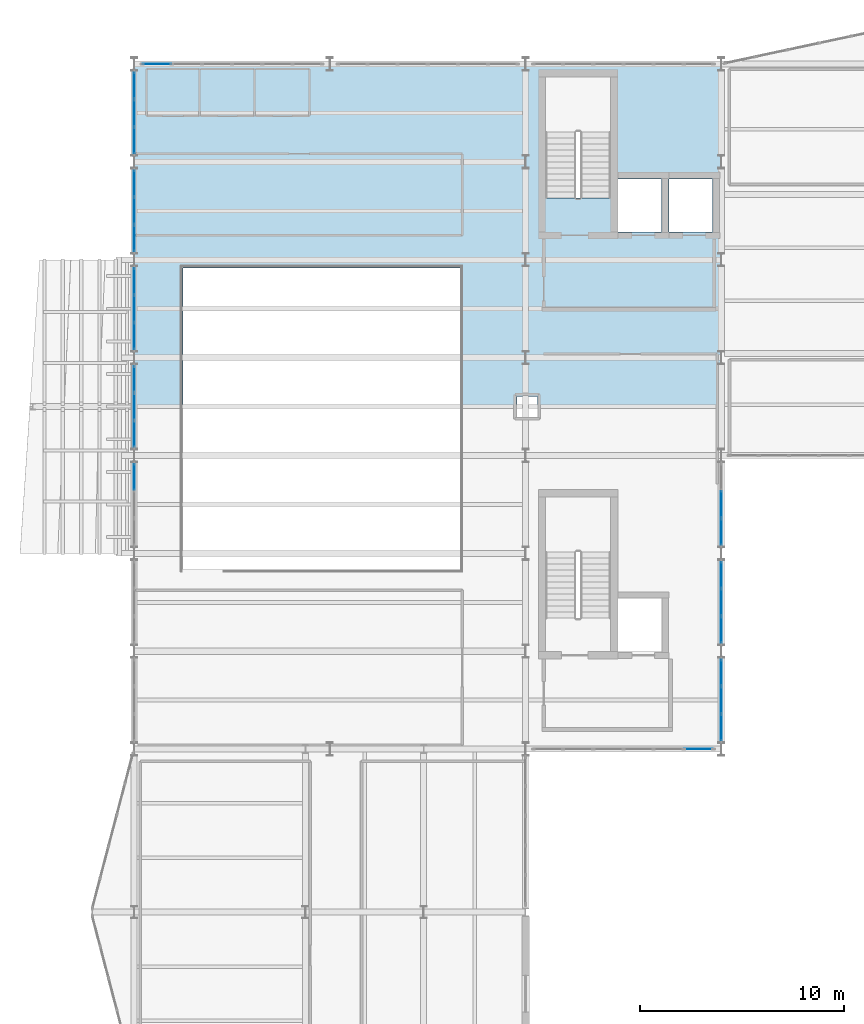
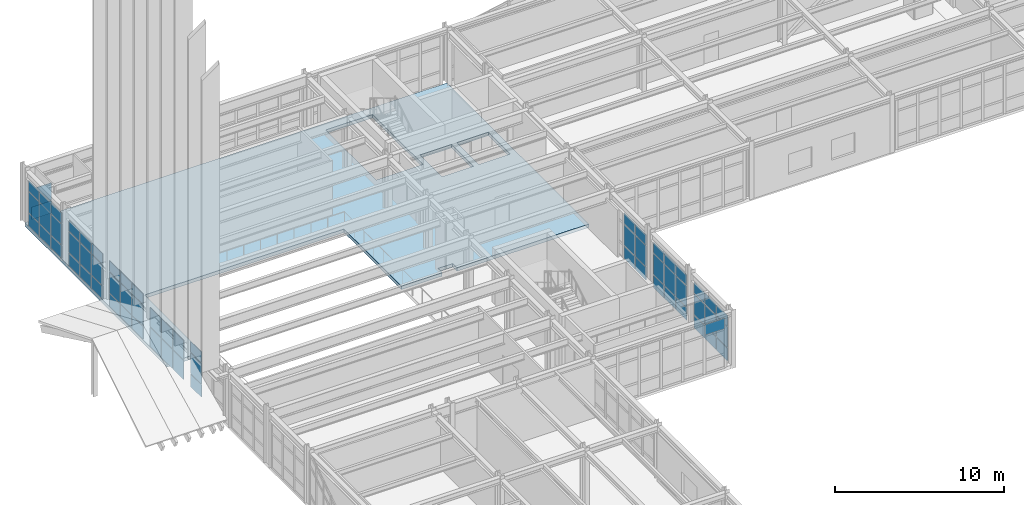
# One storey, part 66 of 99: 63 plates, 1 slab, 10 elements without a shape of their own.
"""IFC4 building model written with IfcOpenShell, lengths in metres."""

from ifc_helpers import new_model, si_unit, direction, frame, origin, origin_2d, place, context, subcontext, project, spatial, polyline, rectangle, outline, extrude, material, layer, layer_set, type_object, element, aggregate, save


model = new_model("IFC4")

# Units and contexts
model_context = context("Model", 3, precision=1e-05, world=origin(), true_north=direction((0.0, 1.0)))
body_context = subcontext(model_context, "Body", "Model", "MODEL_VIEW")
ifc_project = project(units=[si_unit("LENGTHUNIT", "METRE"), si_unit("AREAUNIT", "SQUARE_METRE"), si_unit("VOLUMEUNIT", "CUBIC_METRE"), si_unit("PLANEANGLEUNIT", "RADIAN"), si_unit("MASSUNIT", "GRAM", prefix="KILO")], contexts=[model_context])

# Site, building, storey
site_placement = place(None, origin())
site = spatial("IfcSite", under=ifc_project, at=site_placement, CompositionType="ELEMENT")
building_placement = place(site_placement, origin())
building = spatial("IfcBuilding", under=site, at=building_placement, Name="Nordkorset Police Headquarters", CompositionType="ELEMENT")
storey_placement = place(building_placement, frame((0.0, 0.0, 5.25)))
storey = spatial("IfcBuildingStorey", under=building, at=storey_placement, Name="L01", CompositionType="ELEMENT", Elevation=5.25)

# Curtain wall, plates
ifc_material_1 = material(Name="Aluminium alloy AW-6060", Category="aluminium")
ifc_layer_1 = layer(ifc_material_1, 0.179931640625, Name="Aluminium alloy AW-6060")
ifc_layer_set_1 = layer_set([ifc_layer_1], Name="Aluminium alloy AW-6060")
curtain_wall_type_1 = type_object("IfcCurtainWallType", Name="CW_Unit_408x340", PredefinedType="USERDEFINED", material=ifc_layer_set_1)
curtain_wall_1_placement = place(storey_placement, origin())
curtain_wall_1 = element("IfcCurtainWall", 1, at=curtain_wall_1_placement, inside=storey, type_object=curtain_wall_type_1, Name="Unitised Curtain Wall L01 V1W-2", ObjectType="UNITISED CURTAIN WALL", PredefinedType="USERDEFINED")
ifc_material_2 = material(Name="Low-iron triple glazing", Category="glass")
ifc_layer_2 = layer(ifc_material_2, 0.035888671875, Name="Low-iron triple glazing")
ifc_layer_set_2 = layer_set([ifc_layer_2], Name="Low-iron triple glazing")
plate_type = type_object("IfcPlateType", Name="CW_Panel_TripleGlazing_36", PredefinedType="CURTAIN_PANEL", material=ifc_layer_set_2)
plate_1_placement = place(storey_placement, frame((0.0, 96.543701171875, 0.06494140625), z_axis=(0.0, 0.0, 1.0), x_axis=(0.0, 1.0, 0.0)))
plate_1 = element("IfcPlate", 2, at=plate_1_placement, type_object=plate_type, Name="CW-75 panel 3.1", PredefinedType="CURTAIN_PANEL", context=body_context, shape_type="SweptSolid", body=[
    extrude(rectangle(XDim=1.262451171875, YDim=0.035888671875, at=origin_2d()), origin(), (0.0, 0.0, 1.0), 0.902587890625),
])
plate_2_placement = place(storey_placement, frame((0.0, 96.543701171875, 1.0322265625), z_axis=(0.0, 0.0, 1.0), x_axis=(0.0, 1.0, 0.0)))
plate_2 = element("IfcPlate", 3, at=plate_2_placement, type_object=plate_type, Name="CW-75 panel 3.2", PredefinedType="CURTAIN_PANEL", context=body_context, shape_type="SweptSolid", body=[
    extrude(rectangle(XDim=1.262451171875, YDim=0.035888671875, at=origin_2d()), origin(), (0.0, 0.0, 1.0), 1.485107421875),
])
plate_3_placement = place(storey_placement, frame((0.0, 96.543701171875, 2.58251953125), z_axis=(0.0, 0.0, 1.0), x_axis=(0.0, 1.0, 0.0)))
plate_3 = element("IfcPlate", 4, at=plate_3_placement, type_object=plate_type, Name="CW-75 panel 3.3", PredefinedType="CURTAIN_PANEL", context=body_context, shape_type="SweptSolid", body=[
    extrude(rectangle(XDim=1.262451171875, YDim=0.035888671875, at=origin_2d()), origin(), (0.0, 0.0, 1.0), 0.75244140625),
])
aggregate(curtain_wall_1, [plate_1, plate_2, plate_3])

ifc_material_3 = material(Name="Aluminium alloy AW-6060", Category="aluminium")
ifc_layer_3 = layer(ifc_material_3, 0.179931640625, Name="Aluminium alloy AW-6060")
ifc_layer_set_3 = layer_set([ifc_layer_3], Name="Aluminium alloy AW-6060")
curtain_wall_type_2 = type_object("IfcCurtainWallType", Name="CW_Unit_408x294", PredefinedType="USERDEFINED", material=ifc_layer_set_3)
curtain_wall_2_placement = place(storey_placement, origin())
curtain_wall_2 = element("IfcCurtainWall", 5, at=curtain_wall_2_placement, inside=storey, type_object=curtain_wall_type_2, Name="Unitised Curtain Wall L01 V1W-3", ObjectType="UNITISED CURTAIN WALL", PredefinedType="USERDEFINED")
plate_4_placement = place(storey_placement, frame((0.0, 98.65625, 0.06494140625), z_axis=(0.0, 0.0, 1.0), x_axis=(0.0, 1.0, 0.0)))
plate_4 = element("IfcPlate", 6, at=plate_4_placement, type_object=plate_type, Name="CW-33 panel 1.1", PredefinedType="CURTAIN_PANEL", context=body_context, shape_type="SweptSolid", body=[
    extrude(rectangle(XDim=1.262451171875, YDim=0.035888671875, at=origin_2d()), origin(), (0.0, 0.0, 1.0), 1.375),
])
plate_5_placement = place(storey_placement, frame((0.0, 98.65625, 1.5048828125), z_axis=(0.0, 0.0, 1.0), x_axis=(0.0, 1.0, 0.0)))
plate_5 = element("IfcPlate", 7, at=plate_5_placement, type_object=plate_type, Name="CW-33 panel 1.2", PredefinedType="CURTAIN_PANEL", context=body_context, shape_type="SweptSolid", body=[
    extrude(rectangle(XDim=1.262451171875, YDim=0.035888671875, at=origin_2d()), origin(), (0.0, 0.0, 1.0), 1.375),
])
plate_6_placement = place(storey_placement, frame((0.0, 100.0, 0.06494140625), z_axis=(0.0, 0.0, 1.0), x_axis=(0.0, 1.0, 0.0)))
plate_6 = element("IfcPlate", 8, at=plate_6_placement, type_object=plate_type, Name="CW-33 panel 2.1", PredefinedType="CURTAIN_PANEL", context=body_context, shape_type="SweptSolid", body=[
    extrude(rectangle(XDim=1.294921875, YDim=0.035888671875, at=origin_2d()), origin(), (0.0, 0.0, 1.0), 1.375),
])
plate_7_placement = place(storey_placement, frame((0.0, 100.0, 1.5048828125), z_axis=(0.0, 0.0, 1.0), x_axis=(0.0, 1.0, 0.0)))
plate_7 = element("IfcPlate", 9, at=plate_7_placement, type_object=plate_type, Name="CW-33 panel 2.2", PredefinedType="CURTAIN_PANEL", context=body_context, shape_type="SweptSolid", body=[
    extrude(rectangle(XDim=1.294921875, YDim=0.035888671875, at=origin_2d()), origin(), (0.0, 0.0, 1.0), 1.375),
])
plate_8_placement = place(storey_placement, frame((0.0, 101.34375, 0.06494140625), z_axis=(0.0, 0.0, 1.0), x_axis=(0.0, 1.0, 0.0)))
plate_8 = element("IfcPlate", 10, at=plate_8_placement, type_object=plate_type, Name="CW-33 panel 3.1", PredefinedType="CURTAIN_PANEL", context=body_context, shape_type="SweptSolid", body=[
    extrude(rectangle(XDim=1.262451171875, YDim=0.035888671875, at=origin_2d()), origin(), (0.0, 0.0, 1.0), 1.375),
])
plate_9_placement = place(storey_placement, frame((0.0, 101.34375, 1.5048828125), z_axis=(0.0, 0.0, 1.0), x_axis=(0.0, 1.0, 0.0)))
plate_9 = element("IfcPlate", 11, at=plate_9_placement, type_object=plate_type, Name="CW-33 panel 3.2", PredefinedType="CURTAIN_PANEL", context=body_context, shape_type="SweptSolid", body=[
    extrude(rectangle(XDim=1.262451171875, YDim=0.035888671875, at=origin_2d()), origin(), (0.0, 0.0, 1.0), 1.375),
])
aggregate(curtain_wall_2, [plate_4, plate_5, plate_6, plate_7, plate_8, plate_9])

curtain_wall_3_placement = place(storey_placement, origin())
curtain_wall_3 = element("IfcCurtainWall", 12, at=curtain_wall_3_placement, inside=storey, type_object=curtain_wall_type_1, Name="Unitised Curtain Wall L01 V1W-4", ObjectType="UNITISED CURTAIN WALL", PredefinedType="USERDEFINED")
plate_10_placement = place(storey_placement, frame((0.0, 103.456298828125, 0.06494140625), z_axis=(0.0, 0.0, 1.0), x_axis=(0.0, 1.0, 0.0)))
plate_10 = element("IfcPlate", 13, at=plate_10_placement, type_object=plate_type, Name="CW-75 panel 1.1", PredefinedType="CURTAIN_PANEL", context=body_context, shape_type="SweptSolid", body=[
    extrude(rectangle(XDim=1.262451171875, YDim=0.035888671875, at=origin_2d()), origin(), (0.0, 0.0, 1.0), 0.902587890625),
])
plate_11_placement = place(storey_placement, frame((0.0, 103.456298828125, 1.0322265625), z_axis=(0.0, 0.0, 1.0), x_axis=(0.0, 1.0, 0.0)))
plate_11 = element("IfcPlate", 14, at=plate_11_placement, type_object=plate_type, Name="CW-75 panel 1.2", PredefinedType="CURTAIN_PANEL", context=body_context, shape_type="SweptSolid", body=[
    extrude(rectangle(XDim=1.262451171875, YDim=0.035888671875, at=origin_2d()), origin(), (0.0, 0.0, 1.0), 1.485107421875),
])
plate_12_placement = place(storey_placement, frame((0.0, 103.456298828125, 2.58251953125), z_axis=(0.0, 0.0, 1.0), x_axis=(0.0, 1.0, 0.0)))
plate_12 = element("IfcPlate", 15, at=plate_12_placement, type_object=plate_type, Name="CW-75 panel 1.3", PredefinedType="CURTAIN_PANEL", context=body_context, shape_type="SweptSolid", body=[
    extrude(rectangle(XDim=1.262451171875, YDim=0.035888671875, at=origin_2d()), origin(), (0.0, 0.0, 1.0), 0.75244140625),
])
plate_13_placement = place(storey_placement, frame((0.0, 104.800048828125, 0.06494140625), z_axis=(0.0, 0.0, 1.0), x_axis=(0.0, 1.0, 0.0)))
plate_13 = element("IfcPlate", 16, at=plate_13_placement, type_object=plate_type, Name="CW-75 panel 2.1", PredefinedType="CURTAIN_PANEL", context=body_context, shape_type="SweptSolid", body=[
    extrude(rectangle(XDim=1.294921875, YDim=0.035888671875, at=origin_2d()), origin(), (0.0, 0.0, 1.0), 0.902587890625),
])
plate_14_placement = place(storey_placement, frame((0.0, 104.800048828125, 1.0322265625), z_axis=(0.0, 0.0, 1.0), x_axis=(0.0, 1.0, 0.0)))
plate_14 = element("IfcPlate", 17, at=plate_14_placement, type_object=plate_type, Name="CW-75 panel 2.2", PredefinedType="CURTAIN_PANEL", context=body_context, shape_type="SweptSolid", body=[
    extrude(rectangle(XDim=1.294921875, YDim=0.035888671875, at=origin_2d()), origin(), (0.0, 0.0, 1.0), 1.485107421875),
])
plate_15_placement = place(storey_placement, frame((0.0, 104.800048828125, 2.58251953125), z_axis=(0.0, 0.0, 1.0), x_axis=(0.0, 1.0, 0.0)))
plate_15 = element("IfcPlate", 18, at=plate_15_placement, type_object=plate_type, Name="CW-75 panel 2.3", PredefinedType="CURTAIN_PANEL", context=body_context, shape_type="SweptSolid", body=[
    extrude(rectangle(XDim=1.294921875, YDim=0.035888671875, at=origin_2d()), origin(), (0.0, 0.0, 1.0), 0.75244140625),
])
plate_16_placement = place(storey_placement, frame((0.0, 106.143798828125, 0.06494140625), z_axis=(0.0, 0.0, 1.0), x_axis=(0.0, 1.0, 0.0)))
plate_16 = element("IfcPlate", 19, at=plate_16_placement, type_object=plate_type, Name="CW-75 panel 3.1", PredefinedType="CURTAIN_PANEL", context=body_context, shape_type="SweptSolid", body=[
    extrude(rectangle(XDim=1.262451171875, YDim=0.035888671875, at=origin_2d()), origin(), (0.0, 0.0, 1.0), 0.902587890625),
])
plate_17_placement = place(storey_placement, frame((0.0, 106.143798828125, 1.0322265625), z_axis=(0.0, 0.0, 1.0), x_axis=(0.0, 1.0, 0.0)))
plate_17 = element("IfcPlate", 20, at=plate_17_placement, type_object=plate_type, Name="CW-75 panel 3.2", PredefinedType="CURTAIN_PANEL", context=body_context, shape_type="SweptSolid", body=[
    extrude(rectangle(XDim=1.262451171875, YDim=0.035888671875, at=origin_2d()), origin(), (0.0, 0.0, 1.0), 1.485107421875),
])
plate_18_placement = place(storey_placement, frame((0.0, 106.143798828125, 2.58251953125), z_axis=(0.0, 0.0, 1.0), x_axis=(0.0, 1.0, 0.0)))
plate_18 = element("IfcPlate", 21, at=plate_18_placement, type_object=plate_type, Name="CW-75 panel 3.3", PredefinedType="CURTAIN_PANEL", context=body_context, shape_type="SweptSolid", body=[
    extrude(rectangle(XDim=1.262451171875, YDim=0.035888671875, at=origin_2d()), origin(), (0.0, 0.0, 1.0), 0.75244140625),
])
aggregate(curtain_wall_3, [plate_10, plate_11, plate_12, plate_13, plate_14, plate_15, plate_16, plate_17, plate_18])

curtain_wall_4_placement = place(storey_placement, origin())
curtain_wall_4 = element("IfcCurtainWall", 22, at=curtain_wall_4_placement, inside=storey, type_object=curtain_wall_type_1, Name="Unitised Curtain Wall L01 V1W-5", ObjectType="UNITISED CURTAIN WALL", PredefinedType="USERDEFINED")
plate_19_placement = place(storey_placement, frame((0.0, 108.25634765625, 0.06494140625), z_axis=(0.0, 0.0, 1.0), x_axis=(0.0, 1.0, 0.0)))
plate_19 = element("IfcPlate", 23, at=plate_19_placement, type_object=plate_type, Name="CW-75 panel 1.1", PredefinedType="CURTAIN_PANEL", context=body_context, shape_type="SweptSolid", body=[
    extrude(rectangle(XDim=1.262451171875, YDim=0.035888671875, at=origin_2d()), origin(), (0.0, 0.0, 1.0), 0.902587890625),
])
plate_20_placement = place(storey_placement, frame((0.0, 108.25634765625, 1.0322265625), z_axis=(0.0, 0.0, 1.0), x_axis=(0.0, 1.0, 0.0)))
plate_20 = element("IfcPlate", 24, at=plate_20_placement, type_object=plate_type, Name="CW-75 panel 1.2", PredefinedType="CURTAIN_PANEL", context=body_context, shape_type="SweptSolid", body=[
    extrude(rectangle(XDim=1.262451171875, YDim=0.035888671875, at=origin_2d()), origin(), (0.0, 0.0, 1.0), 1.485107421875),
])
plate_21_placement = place(storey_placement, frame((0.0, 108.25634765625, 2.58251953125), z_axis=(0.0, 0.0, 1.0), x_axis=(0.0, 1.0, 0.0)))
plate_21 = element("IfcPlate", 25, at=plate_21_placement, type_object=plate_type, Name="CW-75 panel 1.3", PredefinedType="CURTAIN_PANEL", context=body_context, shape_type="SweptSolid", body=[
    extrude(rectangle(XDim=1.262451171875, YDim=0.035888671875, at=origin_2d()), origin(), (0.0, 0.0, 1.0), 0.75244140625),
])
plate_22_placement = place(storey_placement, frame((0.0, 109.60009765625, 0.06494140625), z_axis=(0.0, 0.0, 1.0), x_axis=(0.0, 1.0, 0.0)))
plate_22 = element("IfcPlate", 26, at=plate_22_placement, type_object=plate_type, Name="CW-75 panel 2.1", PredefinedType="CURTAIN_PANEL", context=body_context, shape_type="SweptSolid", body=[
    extrude(rectangle(XDim=1.294921875, YDim=0.035888671875, at=origin_2d()), origin(), (0.0, 0.0, 1.0), 0.902587890625),
])
plate_23_placement = place(storey_placement, frame((0.0, 109.60009765625, 1.0322265625), z_axis=(0.0, 0.0, 1.0), x_axis=(0.0, 1.0, 0.0)))
plate_23 = element("IfcPlate", 27, at=plate_23_placement, type_object=plate_type, Name="CW-75 panel 2.2", PredefinedType="CURTAIN_PANEL", context=body_context, shape_type="SweptSolid", body=[
    extrude(rectangle(XDim=1.294921875, YDim=0.035888671875, at=origin_2d()), origin(), (0.0, 0.0, 1.0), 1.485107421875),
])
plate_24_placement = place(storey_placement, frame((0.0, 109.60009765625, 2.58251953125), z_axis=(0.0, 0.0, 1.0), x_axis=(0.0, 1.0, 0.0)))
plate_24 = element("IfcPlate", 28, at=plate_24_placement, type_object=plate_type, Name="CW-75 panel 2.3", PredefinedType="CURTAIN_PANEL", context=body_context, shape_type="SweptSolid", body=[
    extrude(rectangle(XDim=1.294921875, YDim=0.035888671875, at=origin_2d()), origin(), (0.0, 0.0, 1.0), 0.75244140625),
])
plate_25_placement = place(storey_placement, frame((0.0, 110.94384765625, 0.06494140625), z_axis=(0.0, 0.0, 1.0), x_axis=(0.0, 1.0, 0.0)))
plate_25 = element("IfcPlate", 29, at=plate_25_placement, type_object=plate_type, Name="CW-75 panel 3.1", PredefinedType="CURTAIN_PANEL", context=body_context, shape_type="SweptSolid", body=[
    extrude(rectangle(XDim=1.262451171875, YDim=0.035888671875, at=origin_2d()), origin(), (0.0, 0.0, 1.0), 0.902587890625),
])
plate_26_placement = place(storey_placement, frame((0.0, 110.94384765625, 1.0322265625), z_axis=(0.0, 0.0, 1.0), x_axis=(0.0, 1.0, 0.0)))
plate_26 = element("IfcPlate", 30, at=plate_26_placement, type_object=plate_type, Name="CW-75 panel 3.2", PredefinedType="CURTAIN_PANEL", context=body_context, shape_type="SweptSolid", body=[
    extrude(rectangle(XDim=1.262451171875, YDim=0.035888671875, at=origin_2d()), origin(), (0.0, 0.0, 1.0), 1.485107421875),
])
plate_27_placement = place(storey_placement, frame((0.0, 110.94384765625, 2.58251953125), z_axis=(0.0, 0.0, 1.0), x_axis=(0.0, 1.0, 0.0)))
plate_27 = element("IfcPlate", 31, at=plate_27_placement, type_object=plate_type, Name="CW-75 panel 3.3", PredefinedType="CURTAIN_PANEL", context=body_context, shape_type="SweptSolid", body=[
    extrude(rectangle(XDim=1.262451171875, YDim=0.035888671875, at=origin_2d()), origin(), (0.0, 0.0, 1.0), 0.75244140625),
])
aggregate(curtain_wall_4, [plate_19, plate_20, plate_21, plate_22, plate_23, plate_24, plate_25, plate_26, plate_27])

curtain_wall_5_placement = place(storey_placement, origin())
curtain_wall_5 = element("IfcCurtainWall", 32, at=curtain_wall_5_placement, inside=storey, type_object=curtain_wall_type_1, Name="Unitised Curtain Wall L01 V1W-6", ObjectType="UNITISED CURTAIN WALL", PredefinedType="USERDEFINED")
plate_28_placement = place(storey_placement, frame((0.0, 113.05615234375, 0.06494140625), z_axis=(0.0, 0.0, 1.0), x_axis=(0.0, 1.0, 0.0)))
plate_28 = element("IfcPlate", 33, at=plate_28_placement, type_object=plate_type, Name="CW-75 panel 1.1", PredefinedType="CURTAIN_PANEL", context=body_context, shape_type="SweptSolid", body=[
    extrude(rectangle(XDim=1.262451171875, YDim=0.035888671875, at=origin_2d()), origin(), (0.0, 0.0, 1.0), 0.902587890625),
])
plate_29_placement = place(storey_placement, frame((0.0, 113.05615234375, 1.0322265625), z_axis=(0.0, 0.0, 1.0), x_axis=(0.0, 1.0, 0.0)))
plate_29 = element("IfcPlate", 34, at=plate_29_placement, type_object=plate_type, Name="CW-75 panel 1.2", PredefinedType="CURTAIN_PANEL", context=body_context, shape_type="SweptSolid", body=[
    extrude(rectangle(XDim=1.262451171875, YDim=0.035888671875, at=origin_2d()), origin(), (0.0, 0.0, 1.0), 1.485107421875),
])
plate_30_placement = place(storey_placement, frame((0.0, 113.05615234375, 2.58251953125), z_axis=(0.0, 0.0, 1.0), x_axis=(0.0, 1.0, 0.0)))
plate_30 = element("IfcPlate", 35, at=plate_30_placement, type_object=plate_type, Name="CW-75 panel 1.3", PredefinedType="CURTAIN_PANEL", context=body_context, shape_type="SweptSolid", body=[
    extrude(rectangle(XDim=1.262451171875, YDim=0.035888671875, at=origin_2d()), origin(), (0.0, 0.0, 1.0), 0.75244140625),
])
plate_31_placement = place(storey_placement, frame((0.0, 114.39990234375, 0.06494140625), z_axis=(0.0, 0.0, 1.0), x_axis=(0.0, 1.0, 0.0)))
plate_31 = element("IfcPlate", 36, at=plate_31_placement, type_object=plate_type, Name="CW-75 panel 2.1", PredefinedType="CURTAIN_PANEL", context=body_context, shape_type="SweptSolid", body=[
    extrude(rectangle(XDim=1.294921875, YDim=0.035888671875, at=origin_2d()), origin(), (0.0, 0.0, 1.0), 0.902587890625),
])
plate_32_placement = place(storey_placement, frame((0.0, 114.39990234375, 1.0322265625), z_axis=(0.0, 0.0, 1.0), x_axis=(0.0, 1.0, 0.0)))
plate_32 = element("IfcPlate", 37, at=plate_32_placement, type_object=plate_type, Name="CW-75 panel 2.2", PredefinedType="CURTAIN_PANEL", context=body_context, shape_type="SweptSolid", body=[
    extrude(rectangle(XDim=1.294921875, YDim=0.035888671875, at=origin_2d()), origin(), (0.0, 0.0, 1.0), 1.485107421875),
])
plate_33_placement = place(storey_placement, frame((0.0, 114.39990234375, 2.58251953125), z_axis=(0.0, 0.0, 1.0), x_axis=(0.0, 1.0, 0.0)))
plate_33 = element("IfcPlate", 38, at=plate_33_placement, type_object=plate_type, Name="CW-75 panel 2.3", PredefinedType="CURTAIN_PANEL", context=body_context, shape_type="SweptSolid", body=[
    extrude(rectangle(XDim=1.294921875, YDim=0.035888671875, at=origin_2d()), origin(), (0.0, 0.0, 1.0), 0.75244140625),
])
plate_34_placement = place(storey_placement, frame((0.0, 115.74365234375, 0.06494140625), z_axis=(0.0, 0.0, 1.0), x_axis=(0.0, 1.0, 0.0)))
plate_34 = element("IfcPlate", 39, at=plate_34_placement, type_object=plate_type, Name="CW-75 panel 3.1", PredefinedType="CURTAIN_PANEL", context=body_context, shape_type="SweptSolid", body=[
    extrude(rectangle(XDim=1.262451171875, YDim=0.035888671875, at=origin_2d()), origin(), (0.0, 0.0, 1.0), 0.902587890625),
])
plate_35_placement = place(storey_placement, frame((0.0, 115.74365234375, 1.0322265625), z_axis=(0.0, 0.0, 1.0), x_axis=(0.0, 1.0, 0.0)))
plate_35 = element("IfcPlate", 40, at=plate_35_placement, type_object=plate_type, Name="CW-75 panel 3.2", PredefinedType="CURTAIN_PANEL", context=body_context, shape_type="SweptSolid", body=[
    extrude(rectangle(XDim=1.262451171875, YDim=0.035888671875, at=origin_2d()), origin(), (0.0, 0.0, 1.0), 1.485107421875),
])
plate_36_placement = place(storey_placement, frame((0.0, 115.74365234375, 2.58251953125), z_axis=(0.0, 0.0, 1.0), x_axis=(0.0, 1.0, 0.0)))
plate_36 = element("IfcPlate", 41, at=plate_36_placement, type_object=plate_type, Name="CW-75 panel 3.3", PredefinedType="CURTAIN_PANEL", context=body_context, shape_type="SweptSolid", body=[
    extrude(rectangle(XDim=1.262451171875, YDim=0.035888671875, at=origin_2d()), origin(), (0.0, 0.0, 1.0), 0.75244140625),
])
aggregate(curtain_wall_5, [plate_28, plate_29, plate_30, plate_31, plate_32, plate_33, plate_34, plate_35, plate_36])

ifc_material_4 = material(Name="Aluminium alloy AW-6060", Category="aluminium")
ifc_layer_4 = layer(ifc_material_4, 0.179931640625, Name="Aluminium alloy AW-6060")
ifc_layer_set_4 = layer_set([ifc_layer_4], Name="Aluminium alloy AW-6060")
curtain_wall_type_3 = type_object("IfcCurtainWallType", Name="CW_Unit_888x314", PredefinedType="USERDEFINED", material=ifc_layer_set_4)
curtain_wall_6_placement = place(storey_placement, origin())
curtain_wall_6 = element("IfcCurtainWall", 42, at=curtain_wall_6_placement, inside=storey, type_object=curtain_wall_type_3, Name="Unitised Curtain Wall L01 V1N-0", ObjectType="UNITISED CURTAIN WALL", PredefinedType="USERDEFINED")
plate_37_placement = place(storey_placement, frame((1.1162109375, 116.800048828125, 0.06494140625), z_axis=(0.0, 0.0, 1.0), x_axis=(1.0, 0.0, 0.0)))
plate_37 = element("IfcPlate", 43, at=plate_37_placement, type_object=plate_type, Name="CW-59 panel 1.1", PredefinedType="CURTAIN_PANEL", context=body_context, shape_type="SweptSolid", body=[
    extrude(rectangle(XDim=1.382568359375, YDim=0.035888671875, at=origin_2d()), origin(), (0.0, 0.0, 1.0), 0.902587890625),
])
plate_38_placement = place(storey_placement, frame((1.1162109375, 116.800048828125, 1.032470703125), z_axis=(0.0, 0.0, 1.0), x_axis=(1.0, 0.0, 0.0)))
plate_38 = element("IfcPlate", 44, at=plate_38_placement, type_object=plate_type, Name="CW-59 panel 1.2", PredefinedType="CURTAIN_PANEL", context=body_context, shape_type="SweptSolid", body=[
    extrude(rectangle(XDim=1.382568359375, YDim=0.035888671875, at=origin_2d()), origin(), (0.0, 0.0, 1.0), 1.22509765625),
])
aggregate(curtain_wall_6, [plate_37, plate_38])

curtain_wall_7_placement = place(storey_placement, origin())
curtain_wall_7 = element("IfcCurtainWall", 45, at=curtain_wall_7_placement, inside=storey, type_object=curtain_wall_type_1, Name="Unitised Curtain Wall L01 V1E-0", ObjectType="UNITISED CURTAIN WALL", PredefinedType="USERDEFINED")
plate_39_placement = place(storey_placement, frame((28.800048828125, 84.25634765625, 0.06494140625), z_axis=(0.0, 0.0, 1.0), x_axis=(0.0, 1.0, 0.0)))
plate_39 = element("IfcPlate", 46, at=plate_39_placement, type_object=plate_type, Name="CW-75 panel 1.1", PredefinedType="CURTAIN_PANEL", context=body_context, shape_type="SweptSolid", body=[
    extrude(rectangle(XDim=1.262451171875, YDim=0.035888671875, at=origin_2d()), origin(), (0.0, 0.0, 1.0), 0.902587890625),
])
plate_40_placement = place(storey_placement, frame((28.800048828125, 84.25634765625, 1.0322265625), z_axis=(0.0, 0.0, 1.0), x_axis=(0.0, 1.0, 0.0)))
plate_40 = element("IfcPlate", 47, at=plate_40_placement, type_object=plate_type, Name="CW-75 panel 1.2", PredefinedType="CURTAIN_PANEL", context=body_context, shape_type="SweptSolid", body=[
    extrude(rectangle(XDim=1.262451171875, YDim=0.035888671875, at=origin_2d()), origin(), (0.0, 0.0, 1.0), 1.485107421875),
])
plate_41_placement = place(storey_placement, frame((28.800048828125, 84.25634765625, 2.58251953125), z_axis=(0.0, 0.0, 1.0), x_axis=(0.0, 1.0, 0.0)))
plate_41 = element("IfcPlate", 48, at=plate_41_placement, type_object=plate_type, Name="CW-75 panel 1.3", PredefinedType="CURTAIN_PANEL", context=body_context, shape_type="SweptSolid", body=[
    extrude(rectangle(XDim=1.262451171875, YDim=0.035888671875, at=origin_2d()), origin(), (0.0, 0.0, 1.0), 0.75244140625),
])
plate_42_placement = place(storey_placement, frame((28.800048828125, 85.60009765625, 0.06494140625), z_axis=(0.0, 0.0, 1.0), x_axis=(0.0, 1.0, 0.0)))
plate_42 = element("IfcPlate", 49, at=plate_42_placement, type_object=plate_type, Name="CW-75 panel 2.1", PredefinedType="CURTAIN_PANEL", context=body_context, shape_type="SweptSolid", body=[
    extrude(rectangle(XDim=1.294921875, YDim=0.035888671875, at=origin_2d()), origin(), (0.0, 0.0, 1.0), 0.902587890625),
])
plate_43_placement = place(storey_placement, frame((28.800048828125, 85.60009765625, 1.0322265625), z_axis=(0.0, 0.0, 1.0), x_axis=(0.0, 1.0, 0.0)))
plate_43 = element("IfcPlate", 50, at=plate_43_placement, type_object=plate_type, Name="CW-75 panel 2.2", PredefinedType="CURTAIN_PANEL", context=body_context, shape_type="SweptSolid", body=[
    extrude(rectangle(XDim=1.294921875, YDim=0.035888671875, at=origin_2d()), origin(), (0.0, 0.0, 1.0), 1.485107421875),
])
plate_44_placement = place(storey_placement, frame((28.800048828125, 85.60009765625, 2.58251953125), z_axis=(0.0, 0.0, 1.0), x_axis=(0.0, 1.0, 0.0)))
plate_44 = element("IfcPlate", 51, at=plate_44_placement, type_object=plate_type, Name="CW-75 panel 2.3", PredefinedType="CURTAIN_PANEL", context=body_context, shape_type="SweptSolid", body=[
    extrude(rectangle(XDim=1.294921875, YDim=0.035888671875, at=origin_2d()), origin(), (0.0, 0.0, 1.0), 0.75244140625),
])
plate_45_placement = place(storey_placement, frame((28.800048828125, 86.94384765625, 0.06494140625), z_axis=(0.0, 0.0, 1.0), x_axis=(0.0, 1.0, 0.0)))
plate_45 = element("IfcPlate", 52, at=plate_45_placement, type_object=plate_type, Name="CW-75 panel 3.1", PredefinedType="CURTAIN_PANEL", context=body_context, shape_type="SweptSolid", body=[
    extrude(rectangle(XDim=1.262451171875, YDim=0.035888671875, at=origin_2d()), origin(), (0.0, 0.0, 1.0), 0.902587890625),
])
plate_46_placement = place(storey_placement, frame((28.800048828125, 86.94384765625, 1.0322265625), z_axis=(0.0, 0.0, 1.0), x_axis=(0.0, 1.0, 0.0)))
plate_46 = element("IfcPlate", 53, at=plate_46_placement, type_object=plate_type, Name="CW-75 panel 3.2", PredefinedType="CURTAIN_PANEL", context=body_context, shape_type="SweptSolid", body=[
    extrude(rectangle(XDim=1.262451171875, YDim=0.035888671875, at=origin_2d()), origin(), (0.0, 0.0, 1.0), 1.485107421875),
])
plate_47_placement = place(storey_placement, frame((28.800048828125, 86.94384765625, 2.58251953125), z_axis=(0.0, 0.0, 1.0), x_axis=(0.0, 1.0, 0.0)))
plate_47 = element("IfcPlate", 54, at=plate_47_placement, type_object=plate_type, Name="CW-75 panel 3.3", PredefinedType="CURTAIN_PANEL", context=body_context, shape_type="SweptSolid", body=[
    extrude(rectangle(XDim=1.262451171875, YDim=0.035888671875, at=origin_2d()), origin(), (0.0, 0.0, 1.0), 0.75244140625),
])
aggregate(curtain_wall_7, [plate_39, plate_40, plate_41, plate_42, plate_43, plate_44, plate_45, plate_46, plate_47])

curtain_wall_8_placement = place(storey_placement, origin())
curtain_wall_8 = element("IfcCurtainWall", 55, at=curtain_wall_8_placement, inside=storey, type_object=curtain_wall_type_1, Name="Unitised Curtain Wall L01 V1E-1", ObjectType="UNITISED CURTAIN WALL", PredefinedType="USERDEFINED")
plate_48_placement = place(storey_placement, frame((28.800048828125, 89.05615234375, 0.06494140625), z_axis=(0.0, 0.0, 1.0), x_axis=(0.0, 1.0, 0.0)))
plate_48 = element("IfcPlate", 56, at=plate_48_placement, type_object=plate_type, Name="CW-75 panel 1.1", PredefinedType="CURTAIN_PANEL", context=body_context, shape_type="SweptSolid", body=[
    extrude(rectangle(XDim=1.262451171875, YDim=0.035888671875, at=origin_2d()), origin(), (0.0, 0.0, 1.0), 0.902587890625),
])
plate_49_placement = place(storey_placement, frame((28.800048828125, 89.05615234375, 1.0322265625), z_axis=(0.0, 0.0, 1.0), x_axis=(0.0, 1.0, 0.0)))
plate_49 = element("IfcPlate", 57, at=plate_49_placement, type_object=plate_type, Name="CW-75 panel 1.2", PredefinedType="CURTAIN_PANEL", context=body_context, shape_type="SweptSolid", body=[
    extrude(rectangle(XDim=1.262451171875, YDim=0.035888671875, at=origin_2d()), origin(), (0.0, 0.0, 1.0), 1.485107421875),
])
plate_50_placement = place(storey_placement, frame((28.800048828125, 89.05615234375, 2.58251953125), z_axis=(0.0, 0.0, 1.0), x_axis=(0.0, 1.0, 0.0)))
plate_50 = element("IfcPlate", 58, at=plate_50_placement, type_object=plate_type, Name="CW-75 panel 1.3", PredefinedType="CURTAIN_PANEL", context=body_context, shape_type="SweptSolid", body=[
    extrude(rectangle(XDim=1.262451171875, YDim=0.035888671875, at=origin_2d()), origin(), (0.0, 0.0, 1.0), 0.75244140625),
])
plate_51_placement = place(storey_placement, frame((28.800048828125, 90.39990234375, 0.06494140625), z_axis=(0.0, 0.0, 1.0), x_axis=(0.0, 1.0, 0.0)))
plate_51 = element("IfcPlate", 59, at=plate_51_placement, type_object=plate_type, Name="CW-75 panel 2.1", PredefinedType="CURTAIN_PANEL", context=body_context, shape_type="SweptSolid", body=[
    extrude(rectangle(XDim=1.294921875, YDim=0.035888671875, at=origin_2d()), origin(), (0.0, 0.0, 1.0), 0.902587890625),
])
plate_52_placement = place(storey_placement, frame((28.800048828125, 90.39990234375, 1.0322265625), z_axis=(0.0, 0.0, 1.0), x_axis=(0.0, 1.0, 0.0)))
plate_52 = element("IfcPlate", 60, at=plate_52_placement, type_object=plate_type, Name="CW-75 panel 2.2", PredefinedType="CURTAIN_PANEL", context=body_context, shape_type="SweptSolid", body=[
    extrude(rectangle(XDim=1.294921875, YDim=0.035888671875, at=origin_2d()), origin(), (0.0, 0.0, 1.0), 1.485107421875),
])
plate_53_placement = place(storey_placement, frame((28.800048828125, 90.39990234375, 2.58251953125), z_axis=(0.0, 0.0, 1.0), x_axis=(0.0, 1.0, 0.0)))
plate_53 = element("IfcPlate", 61, at=plate_53_placement, type_object=plate_type, Name="CW-75 panel 2.3", PredefinedType="CURTAIN_PANEL", context=body_context, shape_type="SweptSolid", body=[
    extrude(rectangle(XDim=1.294921875, YDim=0.035888671875, at=origin_2d()), origin(), (0.0, 0.0, 1.0), 0.75244140625),
])
plate_54_placement = place(storey_placement, frame((28.800048828125, 91.74365234375, 0.06494140625), z_axis=(0.0, 0.0, 1.0), x_axis=(0.0, 1.0, 0.0)))
plate_54 = element("IfcPlate", 62, at=plate_54_placement, type_object=plate_type, Name="CW-75 panel 3.1", PredefinedType="CURTAIN_PANEL", context=body_context, shape_type="SweptSolid", body=[
    extrude(rectangle(XDim=1.262451171875, YDim=0.035888671875, at=origin_2d()), origin(), (0.0, 0.0, 1.0), 0.902587890625),
])
plate_55_placement = place(storey_placement, frame((28.800048828125, 91.74365234375, 1.0322265625), z_axis=(0.0, 0.0, 1.0), x_axis=(0.0, 1.0, 0.0)))
plate_55 = element("IfcPlate", 63, at=plate_55_placement, type_object=plate_type, Name="CW-75 panel 3.2", PredefinedType="CURTAIN_PANEL", context=body_context, shape_type="SweptSolid", body=[
    extrude(rectangle(XDim=1.262451171875, YDim=0.035888671875, at=origin_2d()), origin(), (0.0, 0.0, 1.0), 1.485107421875),
])
plate_56_placement = place(storey_placement, frame((28.800048828125, 91.74365234375, 2.58251953125), z_axis=(0.0, 0.0, 1.0), x_axis=(0.0, 1.0, 0.0)))
plate_56 = element("IfcPlate", 64, at=plate_56_placement, type_object=plate_type, Name="CW-75 panel 3.3", PredefinedType="CURTAIN_PANEL", context=body_context, shape_type="SweptSolid", body=[
    extrude(rectangle(XDim=1.262451171875, YDim=0.035888671875, at=origin_2d()), origin(), (0.0, 0.0, 1.0), 0.75244140625),
])
aggregate(curtain_wall_8, [plate_48, plate_49, plate_50, plate_51, plate_52, plate_53, plate_54, plate_55, plate_56])

curtain_wall_9_placement = place(storey_placement, origin())
curtain_wall_9 = element("IfcCurtainWall", 65, at=curtain_wall_9_placement, inside=storey, type_object=curtain_wall_type_1, Name="Unitised Curtain Wall L01 V1E-2", ObjectType="UNITISED CURTAIN WALL", PredefinedType="USERDEFINED")
plate_57_placement = place(storey_placement, frame((28.800048828125, 93.856201171875, 0.06494140625), z_axis=(0.0, 0.0, 1.0), x_axis=(0.0, 1.0, 0.0)))
plate_57 = element("IfcPlate", 66, at=plate_57_placement, type_object=plate_type, Name="CW-75 panel 1.1", PredefinedType="CURTAIN_PANEL", context=body_context, shape_type="SweptSolid", body=[
    extrude(rectangle(XDim=1.262451171875, YDim=0.035888671875, at=origin_2d()), origin(), (0.0, 0.0, 1.0), 0.902587890625),
])
plate_58_placement = place(storey_placement, frame((28.800048828125, 93.856201171875, 1.0322265625), z_axis=(0.0, 0.0, 1.0), x_axis=(0.0, 1.0, 0.0)))
plate_58 = element("IfcPlate", 67, at=plate_58_placement, type_object=plate_type, Name="CW-75 panel 1.2", PredefinedType="CURTAIN_PANEL", context=body_context, shape_type="SweptSolid", body=[
    extrude(rectangle(XDim=1.262451171875, YDim=0.035888671875, at=origin_2d()), origin(), (0.0, 0.0, 1.0), 1.485107421875),
])
plate_59_placement = place(storey_placement, frame((28.800048828125, 93.856201171875, 2.58251953125), z_axis=(0.0, 0.0, 1.0), x_axis=(0.0, 1.0, 0.0)))
plate_59 = element("IfcPlate", 68, at=plate_59_placement, type_object=plate_type, Name="CW-75 panel 1.3", PredefinedType="CURTAIN_PANEL", context=body_context, shape_type="SweptSolid", body=[
    extrude(rectangle(XDim=1.262451171875, YDim=0.035888671875, at=origin_2d()), origin(), (0.0, 0.0, 1.0), 0.75244140625),
])
plate_60_placement = place(storey_placement, frame((28.800048828125, 95.199951171875, 0.06494140625), z_axis=(0.0, 0.0, 1.0), x_axis=(0.0, 1.0, 0.0)))
plate_60 = element("IfcPlate", 69, at=plate_60_placement, type_object=plate_type, Name="CW-75 panel 2.1", PredefinedType="CURTAIN_PANEL", context=body_context, shape_type="SweptSolid", body=[
    extrude(rectangle(XDim=1.294921875, YDim=0.035888671875, at=origin_2d()), origin(), (0.0, 0.0, 1.0), 0.902587890625),
])
plate_61_placement = place(storey_placement, frame((28.800048828125, 95.199951171875, 1.0322265625), z_axis=(0.0, 0.0, 1.0), x_axis=(0.0, 1.0, 0.0)))
plate_61 = element("IfcPlate", 70, at=plate_61_placement, type_object=plate_type, Name="CW-75 panel 2.2", PredefinedType="CURTAIN_PANEL", context=body_context, shape_type="SweptSolid", body=[
    extrude(rectangle(XDim=1.294921875, YDim=0.035888671875, at=origin_2d()), origin(), (0.0, 0.0, 1.0), 1.485107421875),
])
plate_62_placement = place(storey_placement, frame((28.800048828125, 95.199951171875, 2.58251953125), z_axis=(0.0, 0.0, 1.0), x_axis=(0.0, 1.0, 0.0)))
plate_62 = element("IfcPlate", 71, at=plate_62_placement, type_object=plate_type, Name="CW-75 panel 2.3", PredefinedType="CURTAIN_PANEL", context=body_context, shape_type="SweptSolid", body=[
    extrude(rectangle(XDim=1.294921875, YDim=0.035888671875, at=origin_2d()), origin(), (0.0, 0.0, 1.0), 0.75244140625),
])
aggregate(curtain_wall_9, [plate_57, plate_58, plate_59, plate_60, plate_61, plate_62])

# Curtain wall, plate
ifc_material_5 = material(Name="Aluminium alloy AW-6060", Category="aluminium")
ifc_layer_5 = layer(ifc_material_5, 0.179931640625, Name="Aluminium alloy AW-6060")
ifc_layer_set_5 = layer_set([ifc_layer_5], Name="Aluminium alloy AW-6060")
curtain_wall_type_4 = type_object("IfcCurtainWallType", Name="CW_Unit_888x363", PredefinedType="USERDEFINED", material=ifc_layer_set_5)
curtain_wall_10_placement = place(storey_placement, origin())
curtain_wall_10 = element("IfcCurtainWall", 72, at=curtain_wall_10_placement, inside=storey, type_object=curtain_wall_type_4, Name="Unitised Curtain Wall L01 V1S-2", ObjectType="UNITISED CURTAIN WALL", PredefinedType="USERDEFINED")
plate_63_placement = place(storey_placement, frame((27.683837890625, 83.199951171875, 2.8125), z_axis=(0.0, 0.0, 1.0), x_axis=(1.0, 0.0, 0.0)))
plate_63 = element("IfcPlate", 73, at=plate_63_placement, type_object=plate_type, Name="CW-07 panel 6.3", PredefinedType="CURTAIN_PANEL", context=body_context, shape_type="SweptSolid", body=[
    extrude(rectangle(XDim=1.382568359375, YDim=0.035888671875, at=origin_2d()), origin(), (0.0, 0.0, 1.0), 0.75244140625),
])
aggregate(curtain_wall_10, [plate_63])

# Slab
ifc_material_6 = material(Name="Concrete C35/45", Category="concrete")
ifc_layer_6 = layer(ifc_material_6, 0.25, Name="Concrete C35/45")
ifc_layer_set_6 = layer_set([ifc_layer_6], Name="Concrete C35/45")
slab_type = type_object("IfcSlabType", Name="Slab_Hall_250", PredefinedType="FLOOR", material=ifc_layer_set_6)
slab_placement = place(storey_placement, frame((0.0, 0.0, -0.25)))
element("IfcSlab", 74, at=slab_placement, inside=storey, type_object=slab_type, Name="Composite Floor Slab V1 North L01", PredefinedType="FLOOR", context=body_context, shape_type="SweptSolid", body=[
    extrude(outline(polyline([(28.800048828125, 100.0048828125), (19.780029296875, 100.0048828125), (19.780029296875, 100.5), (18.780029296875, 100.5), (18.780029296875, 100.0048828125), (16.0, 100.0048828125), (16.0, 106.800048828125), (2.39990234375, 106.800048828125), (2.39990234375, 100.0048828125), (0.0, 100.0048828125), (0.0, 116.800048828125), (28.800048828125, 116.800048828125), (28.800048828125, 100.0048828125)]), holes=[polyline([(20.175048828125, 110.22802734375), (23.375, 110.22802734375), (23.375, 116.175048828125), (20.175048828125, 116.175048828125), (20.175048828125, 110.22802734375)]), polyline([(23.72509765625, 111.175048828125), (23.72509765625, 108.574951171875), (25.875, 108.574951171875), (25.875, 111.175048828125), (23.72509765625, 111.175048828125)]), polyline([(28.375, 111.175048828125), (26.22509765625, 111.175048828125), (26.22509765625, 108.574951171875), (28.375, 108.574951171875), (28.375, 111.175048828125)])]), origin(), (0.0, 0.0, 1.0), 0.25),
])

save(model, "model.ifc")
